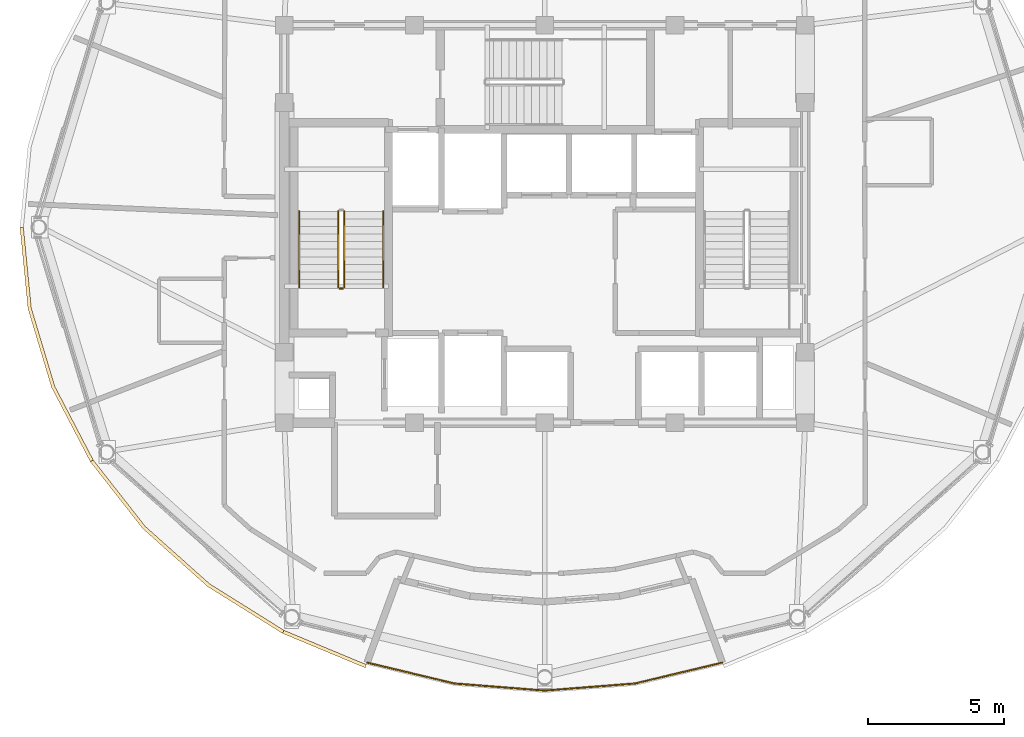
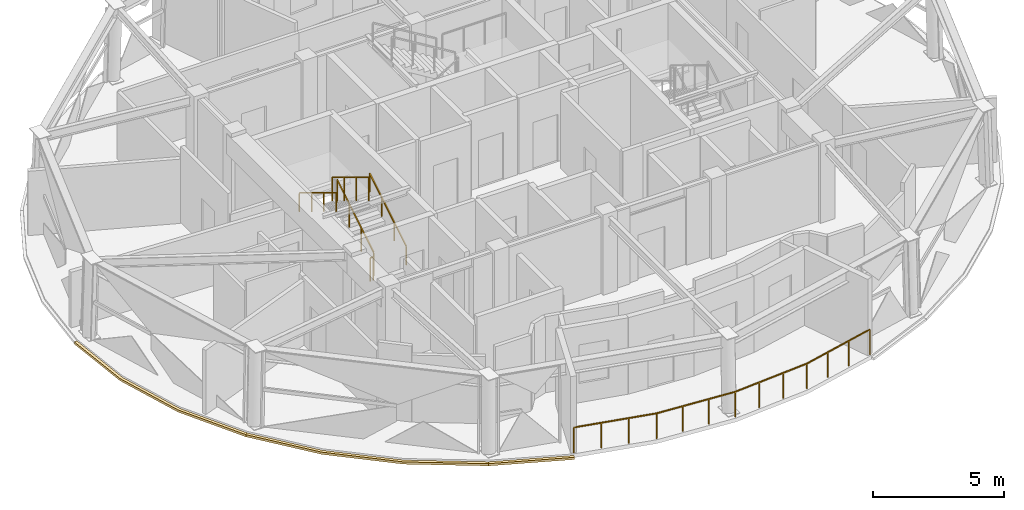
# One storey, part 10 of 13: 6 railings, 3 coverings.
"""IFC4 building model written with IfcOpenShell, lengths in metres."""

from ifc_helpers import new_model, si_unit, direction, frame, origin, origin_2d, place, context, subcontext, project, spatial, polyline, rectangle, outline, extrude, material, layer, layer_set, type_object, element, save


model = new_model("IFC4")

# Units and contexts
model_context = context("Model", 3, precision=1e-05, world=origin(), true_north=direction((0.0, 1.0)))
body_context = subcontext(model_context, "Body", "Model", "MODEL_VIEW")
ifc_project = project(units=[si_unit("LENGTHUNIT", "METRE"), si_unit("AREAUNIT", "SQUARE_METRE"), si_unit("VOLUMEUNIT", "CUBIC_METRE"), si_unit("PLANEANGLEUNIT", "RADIAN"), si_unit("MASSUNIT", "GRAM", prefix="KILO")], contexts=[model_context])

# Site, building, storey
site_placement = place(None, origin())
site = spatial("IfcSite", under=ifc_project, at=site_placement, CompositionType="ELEMENT")
building_placement = place(site_placement, origin())
building = spatial("IfcBuilding", under=site, at=building_placement, Name="Vantalir Tower", CompositionType="ELEMENT")
storey_placement = place(building_placement, frame((0.0, 0.0, 286.35009765625)))
storey = spatial("IfcBuildingStorey", under=building, at=storey_placement, Name="L72", CompositionType="ELEMENT", Elevation=286.35009765625)

# Coverings
ifc_material_1 = material(Name="Anodised champagne aluminium sill fascia", Category="aluminium")
ifc_layer = layer(ifc_material_1, 0.125)
ifc_layer_set = layer_set([ifc_layer], Name="Anodised champagne aluminium sill fascia")
covering_type = type_object("IfcCoveringType", Name="COV-SLAB-FASCIA-125", PredefinedType="CLADDING", material=ifc_layer_set)
covering_1_placement = place(storey_placement, frame((0.0, 0.0, -0.18017578125)))
element("IfcCovering", 1, at=covering_1_placement, inside=storey, type_object=covering_type, Name="L72 Perimeter Slab-Edge Sill Fascia 07", PredefinedType="CLADDING", context=body_context, shape_type="SweptSolid", body=[
    extrude(outline(polyline([(12.159912109375, 25.0), (12.4541015625, 21.9990234375), (13.325927734375, 19.090087890625), (14.7509765625, 16.35888671875), (14.85888671875, 16.422119140625), (13.444091796875, 19.132080078125), (12.576904296875, 22.02099609375), (12.284912109375, 25.0), (12.159912109375, 25.0)])), origin(), (0.0, 0.0, 1.0), 0.10498046875),
])
covering_2_placement = place(storey_placement, frame((0.0, 0.0, -0.18017578125)))
element("IfcCovering", 2, at=covering_2_placement, inside=storey, type_object=covering_type, Name="L72 Perimeter Slab-Edge Sill Fascia 08", PredefinedType="CLADDING", context=body_context, shape_type="SweptSolid", body=[
    extrude(outline(polyline([(14.7509765625, 16.35888671875), (16.68505859375, 13.89208984375), (19.068115234375, 11.761962890625), (21.830078125, 10.033935546875), (21.89208984375, 10.14208984375), (19.14892578125, 11.85791015625), (16.780029296875, 13.971923828125), (14.85888671875, 16.422119140625), (14.7509765625, 16.35888671875)])), origin(), (0.0, 0.0, 1.0), 0.10498046875),
])
covering_3_placement = place(storey_placement, frame((0.0, 0.0, -0.18017578125)))
element("IfcCovering", 3, at=covering_3_placement, inside=storey, type_object=covering_type, Name="L72 Perimeter Slab-Edge Sill Fascia 09", PredefinedType="CLADDING", context=body_context, shape_type="SweptSolid", body=[
    extrude(outline(polyline([(21.830078125, 10.033935546875), (24.885009765625, 8.760986328125), (24.927978515625, 8.87890625), (21.89208984375, 10.14208984375), (21.830078125, 10.033935546875)])), origin(), (0.0, 0.0, 1.0), 0.10498046875),
])

# Railings
ifc_material_2 = material(Name="Laminated safety glass and champagne-silver balustrade", Category="glass")
railing_type_1 = type_object("IfcRailingType", Name="RAL-BALUSTRADE-1200", PredefinedType="BALUSTRADE", material=ifc_material_2)
railing_1_placement = place(storey_placement, frame((24.955078125, 8.9541015625, 0.0)))
element("IfcRailing", 4, at=railing_1_placement, inside=storey, type_object=railing_type_1, Name="L72 Wind-Portal Edge Balustrade S", PredefinedType="BALUSTRADE", context=body_context, shape_type="SweptSolid", body=[
    extrude(rectangle(XDim=0.048095703125, YDim=0.048095703125, at=origin_2d()), frame((0.0, 0.0, 1.17578125), z_axis=(0.972542279589, -0.23272626498, 0.0), x_axis=(0.23272626498, 0.972542279589, 0.0)), (0.0, 0.0, 1.0), 3.31298828125),
    extrude(rectangle(XDim=0.048095703125, YDim=0.048095703125, at=origin_2d()), frame((3.221923828125, -0.77099609375, 1.17578125), z_axis=(0.996975546128, -0.077715895558, 0.0), x_axis=(0.077715895558, 0.996975546128, 0.0)), (0.0, 0.0, 1.0), 3.3330078125),
    extrude(rectangle(XDim=0.048095703125, YDim=0.048095703125, at=origin_2d()), frame((6.544921875, -1.030029296875, 1.17578125), z_axis=(0.996975546128, 0.077715895558, 0.0), x_axis=(-0.077715895558, 0.996975546128, 0.0)), (0.0, 0.0, 1.0), 3.3330078125),
    extrude(rectangle(XDim=0.048095703125, YDim=0.048095703125, at=origin_2d()), frame((9.867919921875, -0.77099609375, 1.17578125), z_axis=(0.972542279589, 0.23272626498, 0.0), x_axis=(-0.23272626498, 0.972542279589, 0.0)), (0.0, 0.0, 1.0), 3.31298828125),
    extrude(rectangle(XDim=0.0419921875, YDim=0.0419921875, at=origin_2d()), origin(), (0.0, 0.0, 1.0), 1.15185546875),
    extrude(rectangle(XDim=0.0419921875, YDim=0.0419921875, at=origin_2d()), frame((1.073974609375, -0.257080078125, 0.0)), (0.0, 0.0, 1.0), 1.15185546875),
    extrude(rectangle(XDim=0.0419921875, YDim=0.0419921875, at=origin_2d()), frame((2.14794921875, -0.513916015625, 0.0)), (0.0, 0.0, 1.0), 1.15185546875),
    extrude(rectangle(XDim=0.0419921875, YDim=0.0419921875, at=origin_2d()), frame((3.221923828125, -0.77099609375, 0.0)), (0.0, 0.0, 1.0), 1.15185546875),
    extrude(rectangle(XDim=0.0419921875, YDim=0.0419921875, at=origin_2d()), frame((4.32958984375, -0.857421875, 0.0)), (0.0, 0.0, 1.0), 1.15185546875),
    extrude(rectangle(XDim=0.0419921875, YDim=0.0419921875, at=origin_2d()), frame((5.437255859375, -0.943603515625, 0.0)), (0.0, 0.0, 1.0), 1.15185546875),
    extrude(rectangle(XDim=0.0419921875, YDim=0.0419921875, at=origin_2d()), frame((6.544921875, -1.030029296875, 0.0)), (0.0, 0.0, 1.0), 1.15185546875),
    extrude(rectangle(XDim=0.0419921875, YDim=0.0419921875, at=origin_2d()), frame((7.652587890625, -0.943603515625, 0.0)), (0.0, 0.0, 1.0), 1.15185546875),
    extrude(rectangle(XDim=0.0419921875, YDim=0.0419921875, at=origin_2d()), frame((8.76025390625, -0.857421875, 0.0)), (0.0, 0.0, 1.0), 1.15185546875),
    extrude(rectangle(XDim=0.0419921875, YDim=0.0419921875, at=origin_2d()), frame((9.867919921875, -0.77099609375, 0.0)), (0.0, 0.0, 1.0), 1.15185546875),
    extrude(rectangle(XDim=0.0419921875, YDim=0.0419921875, at=origin_2d()), frame((10.94189453125, -0.513916015625, 0.0)), (0.0, 0.0, 1.0), 1.15185546875),
    extrude(rectangle(XDim=0.0419921875, YDim=0.0419921875, at=origin_2d()), frame((12.015869140625, -0.257080078125, 0.0)), (0.0, 0.0, 1.0), 1.15185546875),
    extrude(rectangle(XDim=0.0419921875, YDim=0.0419921875, at=origin_2d()), frame((13.08984375, 0.0, 0.0)), (0.0, 0.0, 1.0), 1.15185546875),
])
ifc_material_3 = material(Name="Anodised aluminium and stainless steel guard", Category="steel")
railing_type_2 = type_object("IfcRailingType", Name="RAL-GUARD-1120", PredefinedType="GUARDRAIL", material=ifc_material_3)
railing_2_placement = place(storey_placement, frame((24.110107421875, 22.7900390625, 0.17041015625)))
element("IfcRailing", 5, at=railing_2_placement, inside=storey, type_object=railing_type_2, Name="L72 ST1 stair guard 1", PredefinedType="GUARDRAIL", context=body_context, shape_type="SweptSolid", body=[
    extrude(rectangle(XDim=0.048095703125, YDim=0.048095703125, at=origin_2d()), frame((0.0, 0.0, 1.09619140625), z_axis=(0.0, 0.854169791009, 0.51999420009), x_axis=(-1.0, 0.0, 0.0)), (0.0, 0.0, 1.0), 3.278076171875),
    extrude(rectangle(XDim=0.0419921875, YDim=0.0419921875, at=origin_2d()), origin(), (0.0, 0.0, 1.0), 1.072021484375),
    extrude(rectangle(XDim=0.0419921875, YDim=0.0419921875, at=origin_2d()), frame((0.0, 0.933349609375, 0.568115234375)), (0.0, 0.0, 1.0), 1.072021484375),
    extrude(rectangle(XDim=0.0419921875, YDim=0.0419921875, at=origin_2d()), frame((0.0, 1.86669921875, 1.136474609375)), (0.0, 0.0, 1.0), 1.072021484375),
    extrude(rectangle(XDim=0.0419921875, YDim=0.0419921875, at=origin_2d()), frame((0.0, 2.800048828125, 1.70458984375)), (0.0, 0.0, 1.0), 1.072021484375),
])
railing_3_placement = place(storey_placement, frame((23.889892578125, 25.590087890625, 2.04541015625)))
element("IfcRailing", 6, at=railing_3_placement, inside=storey, type_object=railing_type_2, Name="L72 ST1 stair guard 3", PredefinedType="GUARDRAIL", context=body_context, shape_type="SweptSolid", body=[
    extrude(rectangle(XDim=0.048095703125, YDim=0.048095703125, at=origin_2d()), frame((0.0, 0.0, 1.09619140625), z_axis=(0.0, -0.854169791009, 0.51999420009), x_axis=(1.0, 0.0, 0.0)), (0.0, 0.0, 1.0), 3.278076171875),
    extrude(rectangle(XDim=0.0419921875, YDim=0.0419921875, at=origin_2d()), origin(), (0.0, 0.0, 1.0), 1.072021484375),
    extrude(rectangle(XDim=0.0419921875, YDim=0.0419921875, at=origin_2d()), frame((0.0, -0.933349609375, 0.568115234375)), (0.0, 0.0, 1.0), 1.072021484375),
    extrude(rectangle(XDim=0.0419921875, YDim=0.0419921875, at=origin_2d()), frame((0.0, -1.86669921875, 1.136474609375)), (0.0, 0.0, 1.0), 1.072021484375),
    extrude(rectangle(XDim=0.0419921875, YDim=0.0419921875, at=origin_2d()), frame((0.0, -2.800048828125, 1.70458984375)), (0.0, 0.0, 1.0), 1.072021484375),
])
railing_4_placement = place(storey_placement, frame((24.06005859375, 22.739990234375, 0.0)))
element("IfcRailing", 7, at=railing_4_placement, inside=storey, type_object=railing_type_2, Name="L72 ST1 stair guard 4", PredefinedType="GUARDRAIL", context=body_context, shape_type="SweptSolid", body=[
    extrude(rectangle(XDim=0.048095703125, YDim=0.048095703125, at=origin_2d()), frame((0.0, 0.0, 1.09619140625), z_axis=(-1.0, 0.0, 0.0), x_axis=(0.0, -1.0, 0.0)), (0.0, 0.0, 1.0), 0.1201171875),
    extrude(rectangle(XDim=0.0419921875, YDim=0.0419921875, at=origin_2d()), origin(), (0.0, 0.0, 1.0), 1.072021484375),
    extrude(rectangle(XDim=0.0419921875, YDim=0.0419921875, at=origin_2d()), frame((-0.1201171875, 0.0, 0.0)), (0.0, 0.0, 1.0), 1.072021484375),
])
ifc_material_4 = material(Name="Brushed stainless steel tubular handrail", Category="steel")
railing_type_3 = type_object("IfcRailingType", Name="RAL-HANDRAIL-900", PredefinedType="HANDRAIL", material=ifc_material_4)
railing_5_placement = place(storey_placement, frame((25.550048828125, 22.7900390625, 0.17041015625)))
element("IfcRailing", 8, at=railing_5_placement, inside=storey, type_object=railing_type_3, Name="L72 ST1 stair handrail 1", PredefinedType="HANDRAIL", context=body_context, shape_type="SweptSolid", body=[
    extrude(rectangle(XDim=0.048095703125, YDim=0.048095703125, at=origin_2d()), frame((0.0, 0.0, 0.8759765625), z_axis=(0.0, 0.854169791009, 0.51999420009), x_axis=(-1.0, 0.0, 0.0)), (0.0, 0.0, 1.0), 3.278076171875),
    extrude(rectangle(XDim=0.0419921875, YDim=0.0419921875, at=origin_2d()), origin(), (0.0, 0.0, 1.0), 0.851806640625),
    extrude(rectangle(XDim=0.0419921875, YDim=0.0419921875, at=origin_2d()), frame((0.0, 0.933349609375, 0.568115234375)), (0.0, 0.0, 1.0), 0.851806640625),
    extrude(rectangle(XDim=0.0419921875, YDim=0.0419921875, at=origin_2d()), frame((0.0, 1.86669921875, 1.136474609375)), (0.0, 0.0, 1.0), 0.851806640625),
    extrude(rectangle(XDim=0.0419921875, YDim=0.0419921875, at=origin_2d()), frame((0.0, 2.800048828125, 1.70458984375)), (0.0, 0.0, 1.0), 0.851806640625),
])
railing_6_placement = place(storey_placement, frame((22.449951171875, 25.590087890625, 2.04541015625)))
element("IfcRailing", 9, at=railing_6_placement, inside=storey, type_object=railing_type_3, Name="L72 ST1 stair handrail 2", PredefinedType="HANDRAIL", context=body_context, shape_type="SweptSolid", body=[
    extrude(rectangle(XDim=0.048095703125, YDim=0.048095703125, at=origin_2d()), frame((0.0, 0.0, 0.8759765625), z_axis=(0.0, -0.854169791009, 0.51999420009), x_axis=(1.0, 0.0, 0.0)), (0.0, 0.0, 1.0), 3.278076171875),
    extrude(rectangle(XDim=0.0419921875, YDim=0.0419921875, at=origin_2d()), origin(), (0.0, 0.0, 1.0), 0.851806640625),
    extrude(rectangle(XDim=0.0419921875, YDim=0.0419921875, at=origin_2d()), frame((0.0, -0.933349609375, 0.568115234375)), (0.0, 0.0, 1.0), 0.851806640625),
    extrude(rectangle(XDim=0.0419921875, YDim=0.0419921875, at=origin_2d()), frame((0.0, -1.86669921875, 1.136474609375)), (0.0, 0.0, 1.0), 0.851806640625),
    extrude(rectangle(XDim=0.0419921875, YDim=0.0419921875, at=origin_2d()), frame((0.0, -2.800048828125, 1.70458984375)), (0.0, 0.0, 1.0), 0.851806640625),
])

save(model, "model.ifc")
